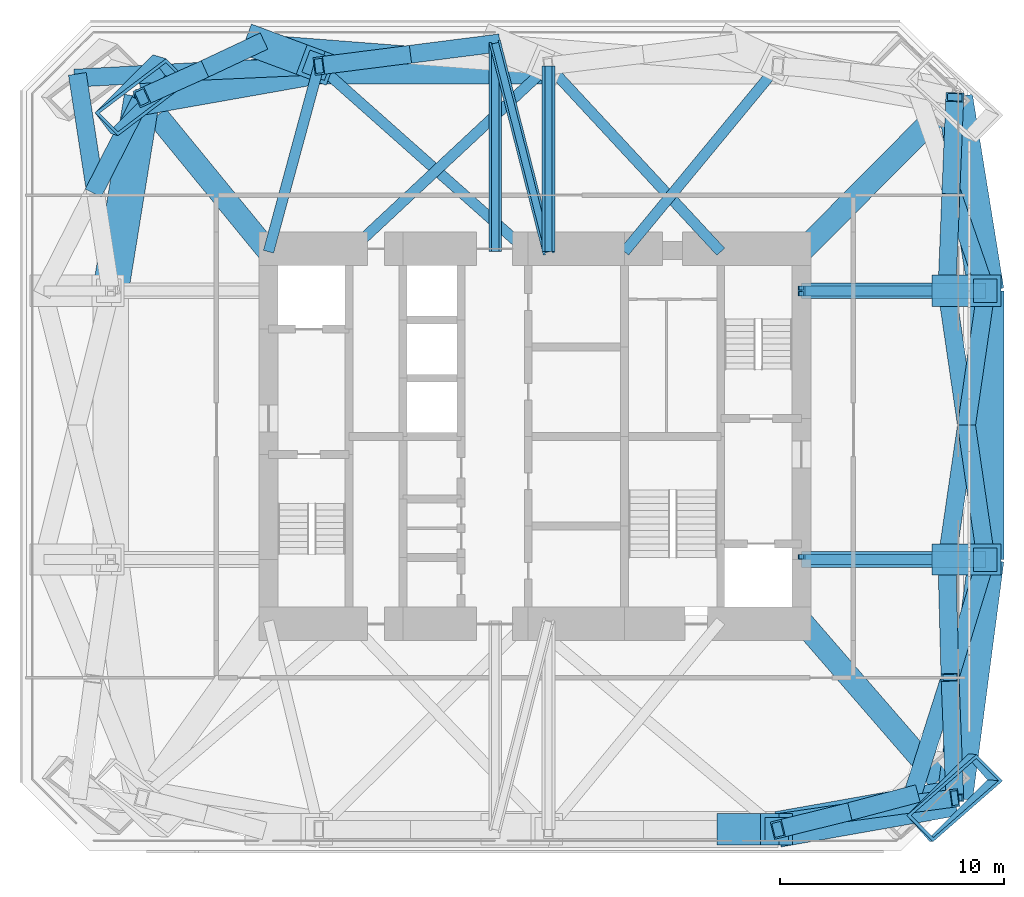
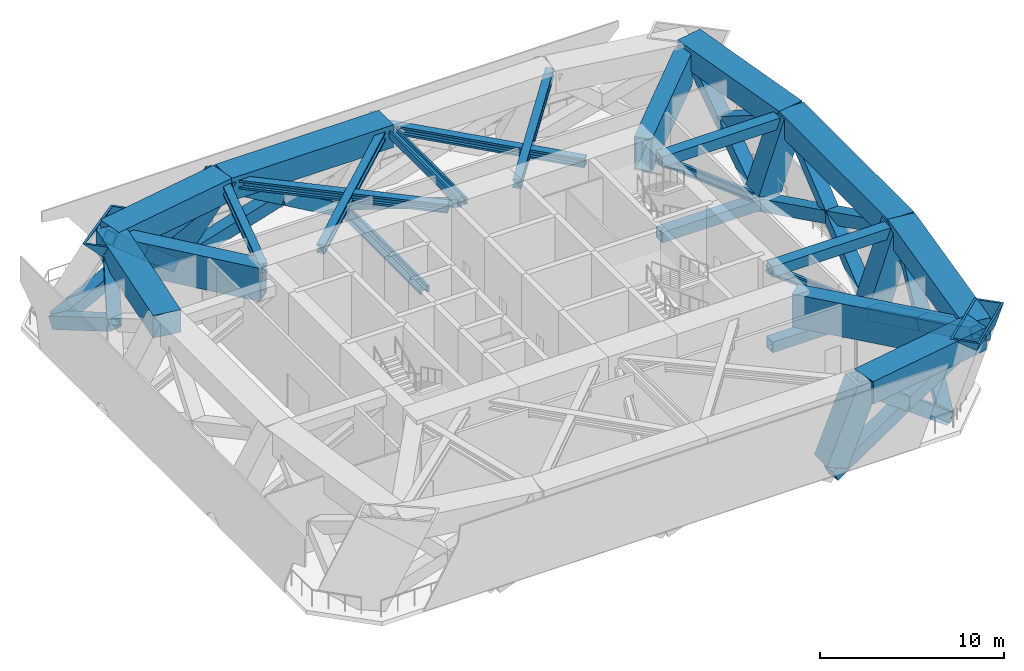
# One storey, part 2 of 8: 44 members, 10 beams.
"""IFC4 building model written with IfcOpenShell, lengths in metres."""

import ifcopenshell
import ifcopenshell.guid

model = None  # the IFC model being written
_history = None  # IfcOwnerHistory: only IFC2X3 demands one
_inside = {}  # id of a spatial element -> (the spatial element, [elements in it])
_under = {}  # id of a project, library or spatial element -> (it, [spatial elements below it])
_declared = {}  # id of a project -> (the project, [libraries it declares])
_typed = {}  # id of a type object -> (the type object, [elements of that type])
_made_of = {}  # id of a material, layer set ... -> (it, [elements and type objects made of it])


def new_model(schema):
    """Start an empty IFC model of exactly this schema.

    Asked for "IFC4X3", IfcOpenShell would pick the latest addendum, in which some entities
    have other attributes; the version numbers below select the first issue.
    IFC2X3 requires an IfcOwnerHistory on every rooted entity: one is made here for all.
    """
    global model, _history
    if schema == "IFC4X3":
        model = ifcopenshell.file(schema_version=(4, 3, 0, 0))
    else:
        model = ifcopenshell.file(schema=schema)
    _inside.clear()
    _under.clear()
    _declared.clear()
    _typed.clear()
    _made_of.clear()
    _history = None
    if model.schema == "IFC2X3":
        org = make("IfcOrganization", Name="unknown")
        user = make(
            "IfcPersonAndOrganization",
            ThePerson=make("IfcPerson", FamilyName="unknown"),
            TheOrganization=org,
        )
        app = make(
            "IfcApplication",
            ApplicationDeveloper=org,
            Version="unknown",
            ApplicationFullName="unknown",
            ApplicationIdentifier="unknown",
        )
        _history = make(
            "IfcOwnerHistory",
            OwningUser=user,
            OwningApplication=app,
            ChangeAction="ADDED",
            CreationDate=0,
        )
    return model


def make(cls, **values):
    """One entity of the class cls with the attributes given. An attribute that is None is left unset."""
    return model.create_entity(
        cls, **{name: value for name, value in values.items() if value is not None}
    )


def rooted(cls, **values):
    """An entity with a GlobalId (a new one), such as an element, a storey or a relation."""
    return make(cls, GlobalId=ifcopenshell.guid.new(), OwnerHistory=_history, **values)


def si_unit(unit_type, name, prefix=None):
    """IfcSIUnit, for example si_unit("LENGTHUNIT", "METRE", prefix="MILLI")."""
    return make("IfcSIUnit", UnitType=unit_type, Prefix=prefix, Name=name)


def assignment(units):
    """IfcUnitAssignment: the units of a project."""
    return None if units is None else make("IfcUnitAssignment", Units=units)


def point(xyz):
    """IfcCartesianPoint."""
    return None if xyz is None else make("IfcCartesianPoint", Coordinates=xyz)


def direction(xyz):
    """IfcDirection."""
    return None if xyz is None else make("IfcDirection", DirectionRatios=xyz)


def frame(location, z_axis=None, x_axis=None):
    """IfcAxis2Placement3D, a coordinate frame: its origin and axes. An axis left out is left unset."""
    return make(
        "IfcAxis2Placement3D",
        Location=point(location),
        Axis=direction(z_axis),
        RefDirection=direction(x_axis),
    )


def frame_2d(location, x_axis=None):
    """IfcAxis2Placement2D, a coordinate frame in the plane: its origin and x axis."""
    return make(
        "IfcAxis2Placement2D", Location=point(location), RefDirection=direction(x_axis)
    )


def origin():
    """The frame at (0, 0, 0) with its axes left unset."""
    return frame((0.0, 0.0, 0.0))


def origin_2d():
    """The frame at (0, 0) in the plane with its x axis left unset."""
    return frame_2d((0.0, 0.0))


def place(relative_to, where):
    """IfcLocalPlacement: puts the frame where relative to a parent placement (None: the world)."""
    return make(
        "IfcLocalPlacement", PlacementRelTo=relative_to, RelativePlacement=where
    )


def context(
    kind, dimensions, precision=None, world=None, true_north=None, identifier=None
):
    """IfcGeometricRepresentationContext, for example the 3D "Model" context."""
    return make(
        "IfcGeometricRepresentationContext",
        ContextIdentifier=identifier,
        ContextType=kind,
        CoordinateSpaceDimension=dimensions,
        Precision=precision,
        WorldCoordinateSystem=world,
        TrueNorth=true_north,
    )


def subcontext(parent, identifier, kind, view, scale=None):
    """IfcGeometricRepresentationSubContext, for example "Body" below "Model"."""
    return make(
        "IfcGeometricRepresentationSubContext",
        ContextIdentifier=identifier,
        ContextType=kind,
        ParentContext=parent,
        TargetScale=scale,
        TargetView=view,
    )


def project(units=None, contexts=None):
    """IfcProject with its units and contexts."""
    return rooted(
        "IfcProject",
        Name="project",
        RepresentationContexts=contexts,
        UnitsInContext=assignment(units),
    )


def spatial(cls, under=None, at=None, **own):
    """A site, building, storey or space (cls), placed at a placement, below another one or the project."""
    s = rooted(cls, ObjectPlacement=at, **own)
    if under is not None:
        _under.setdefault(under.id(), (under, []))[1].append(s)
    return s


def profile(cls, at=None, kind="AREA", **sizes):
    """A parametric profile (cls). Its sizes go by their IFC names, for example OverallWidth=200.0."""
    return make(cls, ProfileType=kind, Position=at, **sizes)


def rectangle(**sizes):
    """IfcRectangleProfileDef."""
    return profile("IfcRectangleProfileDef", **sizes)


def hollow_rectangle(**sizes):
    """IfcRectangleHollowProfileDef."""
    return profile("IfcRectangleHollowProfileDef", **sizes)


def i_section(**sizes):
    """IfcIShapeProfileDef."""
    return profile("IfcIShapeProfileDef", **sizes)


def extrude(swept, where, along, depth):
    """IfcExtrudedAreaSolid: the profile swept, set in the frame where, extruded along a direction by depth."""
    return make(
        "IfcExtrudedAreaSolid",
        SweptArea=swept,
        Position=where,
        ExtrudedDirection=direction(along),
        Depth=depth,
    )


def clip(a, b, op="DIFFERENCE"):
    """IfcBooleanClippingResult: the solid a cut by the half space b."""
    return make(
        "IfcBooleanClippingResult", Operator=op, FirstOperand=a, SecondOperand=b
    )


def halfspace(plane, agree):
    """IfcHalfSpaceSolid: all space on one side of the plane z = 0 of the frame plane."""
    return make(
        "IfcHalfSpaceSolid",
        BaseSurface=make("IfcPlane", Position=plane),
        AgreementFlag=agree,
    )


def shape(context_of_items, identifier, shape_type, items):
    """IfcShapeRepresentation: the items that make up one representation, for example the "Body"."""
    return make(
        "IfcShapeRepresentation",
        ContextOfItems=context_of_items,
        RepresentationIdentifier=identifier,
        RepresentationType=shape_type,
        Items=items,
    )


def material(Name=None, Category=None):
    """IfcMaterial."""
    return make("IfcMaterial", Name=Name, Category=Category)


def material_profile(
    of_material, cross_section, Name=None, Category=None, Priority=None
):
    """IfcMaterialProfile: a cross section and its material."""
    return make(
        "IfcMaterialProfile",
        Name=Name,
        Material=of_material,
        Profile=cross_section,
        Priority=Priority,
        Category=Category,
    )


def profile_set(profiles, Name=None, composite=None):
    """IfcMaterialProfileSet."""
    return make(
        "IfcMaterialProfileSet",
        Name=Name,
        MaterialProfiles=profiles,
        CompositeProfile=composite,
    )


def made_of(thing, what):
    """Note that an element or type object is made of a material, layer set ...; save() writes the relation."""
    if what is not None:
        _made_of.setdefault(what.id(), (what, []))[1].append(thing)
    return thing


def type_object(cls, material=None, **own):
    """A type object (cls), such as IfcWallType, which elements share."""
    return made_of(rooted(cls, **own), material)


def element(
    cls,
    number,
    at=None,
    inside=None,
    cuts=None,
    type_object=None,
    material=None,
    context=None,
    identifier="Body",
    shape_type=None,
    held_by="IfcProductDefinitionShape",
    body=None,
    shapes=None,
    **own,
):
    """One element of the class cls, such as IfcWall. Its Tag is "e" and its number.

    at: its placement. inside: the storey or other place that contains it. cuts: it is an
    opening in that element (IfcRelVoidsElement). A single representation is given by context,
    identifier, shape_type and body (its items); several are given by shapes. held_by: the class
    of the entity that holds the representations. save() writes the other relations.
    """
    e = rooted(cls, Tag="e%d" % number, ObjectPlacement=at, **own)
    if body is not None:
        shapes = [shape(context, identifier, shape_type, body)]
    if shapes is not None:
        e.Representation = make(held_by, Representations=shapes)
    if inside is not None:
        _inside.setdefault(inside.id(), (inside, []))[1].append(e)
    if cuts is not None:
        rooted(
            "IfcRelVoidsElement", RelatingBuildingElement=cuts, RelatedOpeningElement=e
        )
    if type_object is not None:
        _typed.setdefault(type_object.id(), (type_object, []))[1].append(e)
    return made_of(e, material)


def aggregate(whole, parts):
    """IfcRelAggregates: a whole, such as a stair, and the parts it consists of."""
    return rooted("IfcRelAggregates", RelatingObject=whole, RelatedObjects=parts)


def save(model, path):
    """Write the relations noted so far, then the file.

    IfcRelAggregates (storeys below a building ...), IfcRelContainedInSpatialStructure (elements
    in a storey), IfcRelDefinesByType, IfcRelAssociatesMaterial and IfcRelDeclares: one each for
    every whole, place, type object, material and project.
    """
    for whole, parts in _under.values():
        aggregate(whole, parts)
    for where, things in _inside.values():
        rooted(
            "IfcRelContainedInSpatialStructure",
            RelatedElements=things,
            RelatingStructure=where,
        )
    for kind, things in _typed.values():
        rooted("IfcRelDefinesByType", RelatedObjects=things, RelatingType=kind)
    for what, things in _made_of.values():
        rooted("IfcRelAssociatesMaterial", RelatedObjects=things, RelatingMaterial=what)
    for by, libraries in _declared.values():
        rooted("IfcRelDeclares", RelatingContext=by, RelatedDefinitions=libraries)
    model.write(path)


model = new_model("IFC4")

# Units and contexts
model_context = context("Model", 3, precision=1e-05, world=origin(), true_north=direction((0.0, 1.0)))
body_context = subcontext(model_context, "Body", "Model", "MODEL_VIEW")
ifc_project = project(units=[si_unit("LENGTHUNIT", "METRE"), si_unit("AREAUNIT", "SQUARE_METRE"), si_unit("VOLUMEUNIT", "CUBIC_METRE"), si_unit("PLANEANGLEUNIT", "RADIAN"), si_unit("MASSUNIT", "GRAM", prefix="KILO")], contexts=[model_context])

# Site, building, storey
site_placement = place(None, origin())
site = spatial("IfcSite", under=ifc_project, at=site_placement, CompositionType="ELEMENT")
building_placement = place(site_placement, origin())
building = spatial("IfcBuilding", under=site, at=building_placement, Name="Jalousie Tower", CompositionType="ELEMENT")
storey_placement = place(building_placement, frame((0.0, 0.0, 149.35009765625)))
storey = spatial("IfcBuildingStorey", under=building, at=storey_placement, Name="L40", CompositionType="ELEMENT", Elevation=149.35009765625)

# Beams
ifc_material_1 = material(Name="Steel ASTM A572 Grade 50 plate", Category="steel")
ifc_material_profile_1 = material_profile(ifc_material_1, hollow_rectangle(XDim=1.0, YDim=2.199951171875, WallThickness=0.10009765625, at=origin_2d()), Name="BOX 2200x1000x100")
ifc_profile_set_1 = profile_set([ifc_material_profile_1], Name="Steel ASTM A572 Grade 50 plate")
beam_type_1 = type_object("IfcBeamType", Name="KINK COLLECTOR BOX 2200x1000x100", PredefinedType="BEAM", material=ifc_profile_set_1)
beam_1_placement = place(storey_placement, frame((49.95068359375, 3.156494140625, 3.619873046875), z_axis=(-0.655108717474, 0.75553462415, 0.0), x_axis=(-0.75553462415, -0.655108717474, 0.0)))
element("IfcBeam", 1, at=beam_1_placement, inside=storey, type_object=beam_type_1, Name="Kink collector 05 L41", PredefinedType="BEAM", context=body_context, shape_type="SweptSolid", body=[
    extrude(hollow_rectangle(XDim=1.0, YDim=2.199951171875, WallThickness=0.10009765625, at=origin_2d()), origin(), (0.0, 0.0, 1.0), 9.388671875),
])
beam_2_placement = place(storey_placement, frame((49.954833984375, 32.94970703125, 3.619873046875), z_axis=(-0.704531029744, -0.709673184027, 0.0), x_axis=(0.709673184027, -0.704531029744, 0.0)))
element("IfcBeam", 2, at=beam_2_placement, inside=storey, type_object=beam_type_1, Name="Kink collector 08 L41", PredefinedType="BEAM", context=body_context, shape_type="SweptSolid", body=[
    extrude(hollow_rectangle(XDim=1.0, YDim=2.199951171875, WallThickness=0.10009765625, at=origin_2d()), origin(), (0.0, 0.0, 1.0), 8.736083984375),
])
beam_3_placement = place(storey_placement, frame((15.025146484375, 32.8251953125, 3.619873046875), z_axis=(0.633561122277, -0.773692642035, 0.0), x_axis=(0.773692642035, 0.633561122277, 0.0)))
element("IfcBeam", 3, at=beam_3_placement, inside=storey, type_object=beam_type_1, Name="Kink collector 12 L41", PredefinedType="BEAM", context=body_context, shape_type="SweptSolid", body=[
    extrude(hollow_rectangle(XDim=1.0, YDim=2.199951171875, WallThickness=0.10009765625, at=origin_2d()), origin(), (0.0, 0.0, 1.0), 7.852294921875),
])

# Members
ifc_material_2 = material(Name="Steel ASTM A992 Grade 50", Category="steel")
ifc_material_profile_2 = material_profile(ifc_material_2, i_section(OverallWidth=0.472412109375, OverallDepth=0.5791015625, WebThickness=0.094970703125, FlangeThickness=0.1298828125, at=origin_2d()), Name="W14X808")
ifc_profile_set_2 = profile_set([ifc_material_profile_2], Name="Steel ASTM A992 Grade 50")
member_type_1 = type_object("IfcMemberType", Name="KINK FLOOR TRUSS DIAGONAL W14X808", PredefinedType="BRACE", material=ifc_profile_set_2)
member_1_placement = place(storey_placement, frame((42.75, 35.050048828125, 4.430419921875), z_axis=(-0.636524341534, -0.7712566127, 0.0), x_axis=(0.7712566127, -0.636524341534, 0.0)))
element("IfcMember", 4, at=member_1_placement, inside=storey, type_object=member_type_1, Name="Kink floor truss L41 09 diagonal", PredefinedType="BRACE", context=body_context, shape_type="SweptSolid", body=[
    extrude(i_section(OverallWidth=0.472412109375, OverallDepth=0.5791015625, WebThickness=0.094970703125, FlangeThickness=0.1298828125, at=origin_2d()), origin(), (0.0, 0.0, 1.0), 10.76171875),
])
member_2_placement = place(storey_placement, frame((32.5, 35.050048828125, 4.430419921875), z_axis=(-0.731322730784, -0.682031570705, 0.0), x_axis=(0.682031570705, -0.731322730784, 0.0)))
element("IfcMember", 5, at=member_2_placement, inside=storey, type_object=member_type_1, Name="Kink floor truss L41 10 diagonal", PredefinedType="BRACE", context=body_context, shape_type="SweptSolid", body=[
    extrude(i_section(OverallWidth=0.472412109375, OverallDepth=0.5791015625, WebThickness=0.094970703125, FlangeThickness=0.1298828125, at=origin_2d()), origin(), (0.0, 0.0, 1.0), 12.169677734375),
])
member_3_placement = place(storey_placement, frame((32.5, 35.050048828125, 4.430419921875), z_axis=(0.680107772709, -0.733112145242, 0.0), x_axis=(0.733112145242, 0.680107772709, 0.0)))
element("IfcMember", 6, at=member_3_placement, inside=storey, type_object=member_type_1, Name="Kink floor truss L41 10 diagonal", PredefinedType="BRACE", context=body_context, shape_type="SweptSolid", body=[
    extrude(i_section(OverallWidth=0.472412109375, OverallDepth=0.5791015625, WebThickness=0.094970703125, FlangeThickness=0.1298828125, at=origin_2d()), origin(), (0.0, 0.0, 1.0), 11.32177734375),
])
member_4_placement = place(storey_placement, frame((22.25, 35.050048828125, 4.430419921875), z_axis=(-0.261639739492, -0.965165605851, 0.0), x_axis=(0.965165605851, -0.261639739492, 0.0)))
element("IfcMember", 7, at=member_4_placement, inside=storey, type_object=member_type_1, Name="Kink floor truss L41 11 diagonal", PredefinedType="BRACE", context=body_context, shape_type="SweptSolid", body=[
    extrude(i_section(OverallWidth=0.472412109375, OverallDepth=0.5791015625, WebThickness=0.094970703125, FlangeThickness=0.1298828125, at=origin_2d()), origin(), (0.0, 0.0, 1.0), 8.599609375),
])
member_5_placement = place(storey_placement, frame((22.25, 35.050048828125, 4.430419921875), z_axis=(0.747851948323, -0.663865546168, 0.0), x_axis=(0.663865546168, 0.747851948323, 0.0)))
element("IfcMember", 8, at=member_5_placement, inside=storey, type_object=member_type_1, Name="Kink floor truss L41 11 diagonal", PredefinedType="BRACE", context=body_context, shape_type="SweptSolid", body=[
    extrude(i_section(OverallWidth=0.472412109375, OverallDepth=0.5791015625, WebThickness=0.094970703125, FlangeThickness=0.1298828125, at=origin_2d()), origin(), (0.0, 0.0, 1.0), 12.502685546875),
])
ifc_material_3 = material(Name="Steel EN 10025-2 S355J2 plate", Category="steel")
ifc_material_profile_3 = material_profile(ifc_material_3, hollow_rectangle(XDim=1.300048828125, YDim=3.800048828125, WallThickness=0.125, at=origin_2d()), Name="BOX 3800x1300x125")
ifc_profile_set_3 = profile_set([ifc_material_profile_3], Name="Steel EN 10025-2 S355J2 plate")
member_type_2 = type_object("IfcMemberType", Name="KINK NODE BOX 3800x1300x125", PredefinedType="MEMBER", material=ifc_profile_set_3)
member_6_placement = place(storey_placement, frame((13.891357421875, 33.788818359375, 4.200439453125), z_axis=(0.490981098498, -0.147490984195, 0.858594182661), x_axis=(0.544030872148, -0.717853987466, -0.434414620873)))
element("IfcMember", 9, at=member_6_placement, inside=storey, type_object=member_type_2, Name="Kink node of corner column 12 at +154.350", PredefinedType="MEMBER", context=body_context, shape_type="Clipping", body=[
    clip(extrude(hollow_rectangle(XDim=1.300048828125, YDim=3.800048828125, WallThickness=0.125, at=origin_2d()), origin(), (0.0, 0.0, 1.0), 1.8623046875), halfspace(frame((0.0, 0.0, 0.93115234375), z_axis=(-0.434414620873, -0.272213090562, 0.858594182661)), False)),
])
ifc_material_4 = material(Name="Steel EN 10025-2 S355J2 plate", Category="steel")
ifc_material_profile_4 = material_profile(ifc_material_4, hollow_rectangle(XDim=1.60009765625, YDim=4.0, WallThickness=0.125, at=origin_2d()), Name="BOX 4000x1600x125")
ifc_profile_set_4 = profile_set([ifc_material_profile_4], Name="Steel EN 10025-2 S355J2 plate")
member_type_3 = type_object("IfcMemberType", Name="KINK NODE BOX 4000x1600x125", PredefinedType="MEMBER", material=ifc_profile_set_4)
member_7_placement = place(storey_placement, frame((50.390869140625, 2.367919921875, 4.310791015625), z_axis=(0.353577525111, -0.026332003041, 0.93503452308), x_axis=(-0.635669770069, 0.726559510138, 0.260835621893)))
element("IfcMember", 10, at=member_7_placement, inside=storey, type_object=member_type_3, Name="Kink node of corner column 05 at +154.350", PredefinedType="MEMBER", context=body_context, shape_type="Clipping", body=[
    clip(extrude(hollow_rectangle(XDim=1.60009765625, YDim=4.0, WallThickness=0.125, at=origin_2d()), origin(), (0.0, 0.0, 1.0), 1.47412109375), halfspace(frame((0.0, 0.0, 0.737060546875), z_axis=(0.260835621893, 0.240156655122, 0.93503452308)), False)),
])
ifc_material_5 = material(Name="Steel ASTM A992 Grade 50", Category="steel")
ifc_material_profile_5 = material_profile(ifc_material_5, i_section(OverallWidth=0.45458984375, OverallDepth=0.569091796875, WebThickness=0.077880859375, FlangeThickness=0.124755859375, at=origin_2d()), Name="W14X730")
ifc_profile_set_5 = profile_set([ifc_material_profile_5], Name="Steel ASTM A992 Grade 50")
member_type_4 = type_object("IfcMemberType", Name="NORTH-SOUTH OUTRIGGER CHORD W14X730", PredefinedType="CHORD", material=ifc_profile_set_5)
member_8_placement = place(storey_placement, frame((30.125, 36.050048828125, -0.564697265625), z_axis=(0.0, -1.0, 0.0), x_axis=(0.0, 0.0, 1.0)))
element("IfcMember", 11, at=member_8_placement, inside=storey, type_object=member_type_4, Name="Outrigger T2 N10 chord L40", PredefinedType="CHORD", context=body_context, shape_type="SweptSolid", body=[
    extrude(i_section(OverallWidth=0.45458984375, OverallDepth=0.569091796875, WebThickness=0.077880859375, FlangeThickness=0.124755859375, at=origin_2d()), origin(), (0.0, 0.0, 1.0), 9.300048828125),
])
member_9_placement = place(storey_placement, frame((32.5, 35.050048828125, 4.435302734375), z_axis=(0.0, -1.0, 0.0), x_axis=(0.0, 0.0, 1.0)))
element("IfcMember", 12, at=member_9_placement, inside=storey, type_object=member_type_4, Name="Outrigger T2 N10 chord L41", PredefinedType="CHORD", context=body_context, shape_type="SweptSolid", body=[
    extrude(i_section(OverallWidth=0.45458984375, OverallDepth=0.569091796875, WebThickness=0.077880859375, FlangeThickness=0.124755859375, at=origin_2d()), origin(), (0.0, 0.0, 1.0), 8.300048828125),
])
ifc_material_6 = material(Name="Steel ASTM A992 Grade 50", Category="steel")
ifc_material_profile_6 = material_profile(ifc_material_6, i_section(OverallWidth=0.43701171875, OverallDepth=0.51318359375, WebThickness=0.060546875, FlangeThickness=0.096923828125, at=origin_2d()), Name="W14X550")
ifc_profile_set_6 = profile_set([ifc_material_profile_6], Name="Steel ASTM A992 Grade 50")
member_type_5 = type_object("IfcMemberType", Name="NORTH-SOUTH OUTRIGGER DIAGONAL W14X550", PredefinedType="BRACE", material=ifc_profile_set_6)
member_10_placement = place(storey_placement, frame((30.125, 36.050048828125, -0.564697265625), z_axis=(0.219445510307, -0.859306930934, 0.461990548015), x_axis=(-0.114312192613, 0.447624830718, 0.886884847962)))
element("IfcMember", 13, at=member_10_placement, inside=storey, type_object=member_type_5, Name="Outrigger T2 N10 diagonal L40", PredefinedType="BRACE", context=body_context, shape_type="SweptSolid", body=[
    extrude(i_section(OverallWidth=0.43701171875, OverallDepth=0.51318359375, WebThickness=0.060546875, FlangeThickness=0.096923828125, at=origin_2d()), origin(), (0.0, 0.0, 1.0), 10.82275390625),
])
ifc_material_7 = material(Name="Steel ASTM A572 Grade 50 plate", Category="steel")
ifc_material_profile_7 = material_profile(ifc_material_7, hollow_rectangle(XDim=0.699951171875, YDim=0.699951171875, WallThickness=0.070068359375, at=origin_2d()), Name="BOX 700x700x70")
ifc_profile_set_7 = profile_set([ifc_material_profile_7], Name="Steel ASTM A572 Grade 50 plate")
member_type_6 = type_object("IfcMemberType", Name="OUTRIGGER CHORD BOX 700x700x70", PredefinedType="CHORD", material=ifc_profile_set_7)
member_11_placement = place(storey_placement, frame((50.300048828125, 13.0, -0.630126953125), z_axis=(-1.0, 0.0, 0.0), x_axis=(0.0, -1.0, 0.0)))
element("IfcMember", 14, at=member_11_placement, inside=storey, type_object=member_type_6, Name="Outrigger T2 east arm at column 06 chord L40", PredefinedType="CHORD", context=body_context, shape_type="SweptSolid", body=[
    extrude(hollow_rectangle(XDim=0.699951171875, YDim=0.699951171875, WallThickness=0.070068359375, at=origin_2d()), origin(), (0.0, 0.0, 1.0), 6.5),
])
member_12_placement = place(storey_placement, frame((52.050048828125, 13.0, 4.369873046875), z_axis=(-1.0, 0.0, 0.0), x_axis=(0.0, -1.0, 0.0)))
element("IfcMember", 15, at=member_12_placement, inside=storey, type_object=member_type_6, Name="Outrigger T2 east arm at column 06 chord L41", PredefinedType="CHORD", context=body_context, shape_type="SweptSolid", body=[
    extrude(hollow_rectangle(XDim=0.699951171875, YDim=0.699951171875, WallThickness=0.070068359375, at=origin_2d()), origin(), (0.0, 0.0, 1.0), 8.25),
])
member_13_placement = place(storey_placement, frame((50.300048828125, 25.0, -0.630126953125), z_axis=(-1.0, 0.0, 0.0), x_axis=(0.0, -1.0, 0.0)))
element("IfcMember", 16, at=member_13_placement, inside=storey, type_object=member_type_6, Name="Outrigger T2 east arm at column 07 chord L40", PredefinedType="CHORD", context=body_context, shape_type="SweptSolid", body=[
    extrude(hollow_rectangle(XDim=0.699951171875, YDim=0.699951171875, WallThickness=0.070068359375, at=origin_2d()), origin(), (0.0, 0.0, 1.0), 6.5),
])
member_14_placement = place(storey_placement, frame((52.050048828125, 25.0, 4.369873046875), z_axis=(-1.0, 0.0, 0.0), x_axis=(0.0, -1.0, 0.0)))
element("IfcMember", 17, at=member_14_placement, inside=storey, type_object=member_type_6, Name="Outrigger T2 east arm at column 07 chord L41", PredefinedType="CHORD", context=body_context, shape_type="SweptSolid", body=[
    extrude(hollow_rectangle(XDim=0.699951171875, YDim=0.699951171875, WallThickness=0.070068359375, at=origin_2d()), origin(), (0.0, 0.0, 1.0), 8.25),
])
ifc_material_8 = material(Name="Steel ASTM A992 Grade 50", Category="steel")
ifc_material_profile_8 = material_profile(ifc_material_8, i_section(OverallWidth=0.43701171875, OverallDepth=0.51318359375, WebThickness=0.060546875, FlangeThickness=0.096923828125, at=origin_2d()), Name="W14X550")
ifc_profile_set_8 = profile_set([ifc_material_profile_8], Name="Steel ASTM A992 Grade 50")
member_type_7 = type_object("IfcMemberType", Name="OUTRIGGER DIAGONAL W14X550", PredefinedType="BRACE", material=ifc_profile_set_8)
for number, where, z_axis, x_axis, name in (
    (18, (50.300048828125, 13.0, -0.630126953125), (-0.792623989105, 0.0, 0.60971076085), (0.0, -1.0, 0.0), "Outrigger T2 east arm at column 06 diagonal L40"),
    (19, (50.300048828125, 25.0, -0.630126953125), (-0.792623989105, 0.0, 0.60971076085), (0.0, -1.0, 0.0), "Outrigger T2 east arm at column 07 diagonal L40"),
):
    element("IfcMember", number, at=place(storey_placement, frame(where, z_axis=z_axis, x_axis=x_axis)), inside=storey, type_object=member_type_7, Name=name, PredefinedType="BRACE", context=body_context, shape_type="SweptSolid", body=[
        extrude(i_section(OverallWidth=0.43701171875, OverallDepth=0.51318359375, WebThickness=0.060546875, FlangeThickness=0.096923828125, at=origin_2d()), origin(), (0.0, 0.0, 1.0), 8.20068359375),
    ])
ifc_material_9 = material(Name="Steel ASTM A572 Grade 50 plate", Category="steel")
ifc_material_profile_9 = material_profile(ifc_material_9, hollow_rectangle(XDim=0.800048828125, YDim=0.800048828125, WallThickness=0.080078125, at=origin_2d()), Name="BOX 800x800x80")
ifc_profile_set_9 = profile_set([ifc_material_profile_9], Name="Steel ASTM A572 Grade 50 plate")
member_type_8 = type_object("IfcMemberType", Name="PERIMETER BRACE BOX 800x800x80", PredefinedType="BRACE", material=ifc_profile_set_9)
member_15_placement = place(storey_placement, frame((40.6875, 0.949951171875, -0.75), z_axis=(0.88597286994, 0.129139914347, 0.445393035703), x_axis=(-0.144236393831, 0.989543259638, 0.0)))
element("IfcMember", 20, at=member_15_placement, inside=storey, type_object=member_type_8, Name="Perimeter brace 04-05 L40 part 1", PredefinedType="BRACE", context=body_context, shape_type="SweptSolid", body=[
    extrude(hollow_rectangle(XDim=0.800048828125, YDim=0.800048828125, WallThickness=0.080078125, at=origin_2d()), origin(), (0.0, 0.0, 1.0), 5.680908203125),
])
member_16_placement = place(storey_placement, frame((45.720703125, 1.68359375, 1.7802734375), z_axis=(0.887690613538, 0.119680226799, 0.444614459897), x_axis=(-0.133613130832, 0.991033567176, 0.0)))
element("IfcMember", 21, at=member_16_placement, inside=storey, type_object=member_type_8, Name="Perimeter brace 04-05 L40 part 2", PredefinedType="BRACE", context=body_context, shape_type="SweptSolid", body=[
    extrude(hollow_rectangle(XDim=0.800048828125, YDim=0.800048828125, WallThickness=0.080078125, at=origin_2d()), origin(), (0.0, 0.0, 1.0), 5.5546875),
])
member_17_placement = place(storey_placement, frame((48.760009765625, 2.489990234375, -0.75), z_axis=(-0.753034243519, -0.199796940023, 0.626913559309), x_axis=(0.256449502216, -0.966557630363, 0.0)))
element("IfcMember", 22, at=member_17_placement, inside=storey, type_object=member_type_8, Name="Perimeter brace 04-05 L40 part 3", PredefinedType="BRACE", context=body_context, shape_type="SweptSolid", body=[
    extrude(hollow_rectangle(XDim=0.800048828125, YDim=0.800048828125, WallThickness=0.080078125, at=origin_2d()), origin(), (0.0, 0.0, 1.0), 4.0361328125),
])
member_18_placement = place(storey_placement, frame((45.720703125, 1.68359375, 1.7802734375), z_axis=(-0.755465041097, -0.186569070389, 0.6280641318), x_axis=(0.239756208625, -0.970833126972, 0.0)))
element("IfcMember", 23, at=member_18_placement, inside=storey, type_object=member_type_8, Name="Perimeter brace 04-05 L40 part 4", PredefinedType="BRACE", context=body_context, shape_type="SweptSolid", body=[
    extrude(hollow_rectangle(XDim=0.800048828125, YDim=0.800048828125, WallThickness=0.080078125, at=origin_2d()), origin(), (0.0, 0.0, 1.0), 3.932373046875),
])
member_19_placement = place(storey_placement, frame((48.760009765625, 2.489990234375, -0.75), z_axis=(0.277802703052, 0.868148595504, 0.411270804096), x_axis=(-0.9524256909, 0.304770902997, 0.0)))
element("IfcMember", 24, at=member_19_placement, inside=storey, type_object=member_type_8, Name="Perimeter brace 05-06 L40 part 1", PredefinedType="BRACE", context=body_context, shape_type="SweptSolid", body=[
    extrude(hollow_rectangle(XDim=0.800048828125, YDim=0.800048828125, WallThickness=0.080078125, at=origin_2d()), origin(), (0.0, 0.0, 1.0), 6.043701171875),
])
member_20_placement = place(storey_placement, frame((50.43896484375, 7.73681640625, 1.735595703125), z_axis=(0.266235155482, 0.869752611287, 0.415510814716), x_axis=(-0.956204769228, 0.29269854681, 0.0)))
element("IfcMember", 25, at=member_20_placement, inside=storey, type_object=member_type_8, Name="Perimeter brace 05-06 L40 part 2", PredefinedType="BRACE", context=body_context, shape_type="SweptSolid", body=[
    extrude(hollow_rectangle(XDim=0.800048828125, YDim=0.800048828125, WallThickness=0.080078125, at=origin_2d()), origin(), (0.0, 0.0, 1.0), 6.05126953125),
])
member_21_placement = place(storey_placement, frame((50.300048828125, 13.0, -0.75), z_axis=(0.023859510642, -0.903977733585, 0.426913317823), x_axis=(0.999651862533, 0.026384725382, 0.0)))
element("IfcMember", 26, at=member_21_placement, inside=storey, type_object=member_type_8, Name="Perimeter brace 05-06 L40 part 3", PredefinedType="BRACE", context=body_context, shape_type="SweptSolid", body=[
    extrude(hollow_rectangle(XDim=0.800048828125, YDim=0.800048828125, WallThickness=0.080078125, at=origin_2d()), origin(), (0.0, 0.0, 1.0), 5.822265625),
])
member_22_placement = place(storey_placement, frame((50.43896484375, 7.73681640625, 1.735595703125), z_axis=(0.035738853985, -0.905616815515, 0.42258835499), x_axis=(0.999222222481, 0.039432855592, 0.0)))
element("IfcMember", 27, at=member_22_placement, inside=storey, type_object=member_type_8, Name="Perimeter brace 05-06 L40 part 4", PredefinedType="BRACE", context=body_context, shape_type="SweptSolid", body=[
    extrude(hollow_rectangle(XDim=0.800048828125, YDim=0.800048828125, WallThickness=0.080078125, at=origin_2d()), origin(), (0.0, 0.0, 1.0), 5.949951171875),
])
for number, where, z_axis, x_axis, name in (
    (28, (50.300048828125, 13.0, -0.75), (0.133412012142, 0.914825226113, 0.381177177547), (-0.989532981063, 0.144306893072, 0.0), "Perimeter brace 06-07 L40 part 1"),
    (29, (51.175048828125, 19.0, 1.75), (0.133412012142, 0.914825226113, 0.381177177547), (-0.989532981063, 0.144306893072, 0.0), "Perimeter brace 06-07 L40 part 2"),
    (30, (50.300048828125, 25.0, -0.75), (0.133412012142, -0.914825226113, 0.381177177547), (0.989532981063, 0.144306893072, 0.0), "Perimeter brace 06-07 L40 part 3"),
    (31, (51.175048828125, 19.0, 1.75), (0.133412012142, -0.914825226113, 0.381177177547), (0.989532981063, 0.144306893072, 0.0), "Perimeter brace 06-07 L40 part 4"),
):
    element("IfcMember", number, at=place(storey_placement, frame(where, z_axis=z_axis, x_axis=x_axis)), inside=storey, type_object=member_type_8, Name=name, PredefinedType="BRACE", context=body_context, shape_type="SweptSolid", body=[
        extrude(hollow_rectangle(XDim=0.800048828125, YDim=0.800048828125, WallThickness=0.080078125, at=origin_2d()), origin(), (0.0, 0.0, 1.0), 6.55859375),
    ])
member_23_placement = place(storey_placement, frame((50.300048828125, 25.0, -0.75), z_axis=(0.035022442971, 0.865254869361, 0.500107427995), x_axis=(-0.999181833804, 0.040443330667, 0.0)))
element("IfcMember", 32, at=member_23_placement, inside=storey, type_object=member_type_8, Name="Perimeter brace 07-08 L40 part 1", PredefinedType="BRACE", context=body_context, shape_type="SweptSolid", body=[
    extrude(hollow_rectangle(XDim=0.800048828125, YDim=0.800048828125, WallThickness=0.080078125, at=origin_2d()), origin(), (0.0, 0.0, 1.0), 5.235107421875),
])
member_24_placement = place(storey_placement, frame((50.4833984375, 29.52978515625, 1.8681640625), z_axis=(0.035312910871, 0.86529444736, 0.500018517351), x_axis=(-0.999168299161, 0.040776340587, 0.0)))
element("IfcMember", 33, at=member_24_placement, inside=storey, type_object=member_type_8, Name="Perimeter brace 07-08 L40 part 2", PredefinedType="BRACE", context=body_context, shape_type="SweptSolid", body=[
    extrude(hollow_rectangle(XDim=0.800048828125, YDim=0.800048828125, WallThickness=0.080078125, at=origin_2d()), origin(), (0.0, 0.0, 1.0), 4.763427734375),
])
member_25_placement = place(storey_placement, frame((50.4833984375, 29.52978515625, 1.8681640625), z_axis=(0.292709209887, -0.846334218519, 0.445016526672), x_axis=(0.945073243987, 0.326858629226, 0.0)))
element("IfcMember", 34, at=member_25_placement, inside=storey, type_object=member_type_8, Name="Perimeter brace 07-08 L40 part 4", PredefinedType="BRACE", context=body_context, shape_type="SweptSolid", body=[
    extrude(hollow_rectangle(XDim=0.800048828125, YDim=0.800048828125, WallThickness=0.080078125, at=origin_2d()), origin(), (0.0, 0.0, 1.0), 5.352294921875),
])
member_26_placement = place(storey_placement, frame((30.125, 36.050048828125, -0.75), z_axis=(-0.839416993695, -0.106606470977, 0.532929799357), x_axis=(0.125988630068, -0.992031685529, 0.0)))
element("IfcMember", 35, at=member_26_placement, inside=storey, type_object=member_type_8, Name="Perimeter brace 10-11 L40 part 1", PredefinedType="BRACE", context=body_context, shape_type="SweptSolid", body=[
    extrude(hollow_rectangle(XDim=0.800048828125, YDim=0.800048828125, WallThickness=0.080078125, at=origin_2d()), origin(), (0.0, 0.0, 1.0), 4.76123046875),
])
member_27_placement = place(storey_placement, frame((26.12841796875, 35.54248046875, 1.787353515625), z_axis=(-0.839389194883, -0.106574846159, 0.532979907389), x_axis=(0.125955953608, -0.992035834913, 0.0)))
element("IfcMember", 36, at=member_27_placement, inside=storey, type_object=member_type_8, Name="Perimeter brace 10-11 L40 part 2", PredefinedType="BRACE", context=body_context, shape_type="SweptSolid", body=[
    extrude(hollow_rectangle(XDim=0.800048828125, YDim=0.800048828125, WallThickness=0.080078125, at=origin_2d()), origin(), (0.0, 0.0, 1.0), 4.62060546875),
])
member_28_placement = place(storey_placement, frame((19.5625, 36.050048828125, -0.75), z_axis=(0.930357723477, -0.071919896896, 0.359530297468), x_axis=(0.077073541624, 0.997025410499, 0.0)))
element("IfcMember", 37, at=member_28_placement, inside=storey, type_object=member_type_8, Name="Perimeter brace 10-11 L40 part 3", PredefinedType="BRACE", context=body_context, shape_type="SweptSolid", body=[
    extrude(hollow_rectangle(XDim=0.800048828125, YDim=0.800048828125, WallThickness=0.080078125, at=origin_2d()), origin(), (0.0, 0.0, 1.0), 7.057373046875),
])
member_29_placement = place(storey_placement, frame((19.5625, 36.050048828125, -0.75), z_axis=(-0.683817037952, -0.321476745467, 0.655016763702), x_axis=(0.425450823348, -0.904981545067, 0.0)))
element("IfcMember", 38, at=member_29_placement, inside=storey, type_object=member_type_8, Name="Perimeter brace 11-12 L40 part 1", PredefinedType="BRACE", context=body_context, shape_type="SweptSolid", body=[
    extrude(hollow_rectangle(XDim=0.800048828125, YDim=0.800048828125, WallThickness=0.080078125, at=origin_2d()), origin(), (0.0, 0.0, 1.0), 3.865478515625),
])
member_30_placement = place(storey_placement, frame((16.919189453125, 34.807373046875, 1.781982421875), z_axis=(-0.686195863934, -0.308494892675, 0.658761062536), x_axis=(0.410040516393, -0.912067308326, 0.0)))
element("IfcMember", 39, at=member_30_placement, inside=storey, type_object=member_type_8, Name="Perimeter brace 11-12 L40 part 2", PredefinedType="BRACE", context=body_context, shape_type="SweptSolid", body=[
    extrude(hollow_rectangle(XDim=0.800048828125, YDim=0.800048828125, WallThickness=0.080078125, at=origin_2d()), origin(), (0.0, 0.0, 1.0), 3.746337890625),
])
member_31_placement = place(storey_placement, frame((11.489990234375, 34.510009765625, -0.75), z_axis=(0.905173793748, 0.049577375699, 0.422140364015), x_axis=(-0.054689143647, 0.998503428921, 0.0)))
element("IfcMember", 40, at=member_31_placement, inside=storey, type_object=member_type_8, Name="Perimeter brace 11-12 L40 part 3", PredefinedType="BRACE", context=body_context, shape_type="SweptSolid", body=[
    extrude(hollow_rectangle(XDim=0.800048828125, YDim=0.800048828125, WallThickness=0.080078125, at=origin_2d()), origin(), (0.0, 0.0, 1.0), 5.998046875),
])
member_32_placement = place(storey_placement, frame((16.919189453125, 34.807373046875, 1.781982421875), z_axis=(0.906690342622, 0.04127548434, 0.419772506232), x_axis=(-0.045476145289, 0.998965424932, 0.0)))
element("IfcMember", 41, at=member_32_placement, inside=storey, type_object=member_type_8, Name="Perimeter brace 11-12 L40 part 4", PredefinedType="BRACE", context=body_context, shape_type="SweptSolid", body=[
    extrude(hollow_rectangle(XDim=0.800048828125, YDim=0.800048828125, WallThickness=0.080078125, at=origin_2d()), origin(), (0.0, 0.0, 1.0), 5.87939453125),
])
member_33_placement = place(storey_placement, frame((11.489990234375, 34.510009765625, -0.75), z_axis=(0.13455720609, -0.877051523874, 0.461166979261), x_axis=(0.988434924075, 0.151645642433, 0.0)))
element("IfcMember", 42, at=member_33_placement, inside=storey, type_object=member_type_8, Name="Perimeter brace 12-13 L40 part 1", PredefinedType="BRACE", context=body_context, shape_type="SweptSolid", body=[
    extrude(hollow_rectangle(XDim=0.800048828125, YDim=0.800048828125, WallThickness=0.080078125, at=origin_2d()), origin(), (0.0, 0.0, 1.0), 5.67724609375),
])
member_34_placement = place(storey_placement, frame((12.25390625, 29.53076171875, 1.8681640625), z_axis=(0.402774650297, 0.792450556284, 0.4580335107), x_axis=(-0.891460705276, 0.453098014726, 0.0)))
element("IfcMember", 43, at=member_34_placement, inside=storey, type_object=member_type_8, Name="Perimeter brace 12-13 L40 part 4", PredefinedType="BRACE", context=body_context, shape_type="SweptSolid", body=[
    extrude(hollow_rectangle(XDim=0.800048828125, YDim=0.800048828125, WallThickness=0.080078125, at=origin_2d()), origin(), (0.0, 0.0, 1.0), 5.2001953125),
])

# Beams
ifc_material_10 = material(Name="Concrete f'c 40 MPa", Category="concrete")
ifc_material_profile_10 = material_profile(ifc_material_10, rectangle(XDim=1.60009765625, YDim=1.5, at=origin_2d()), Name="RC 1600x1500")
ifc_profile_set_10 = profile_set([ifc_material_profile_10], Name="Concrete f'c 40 MPa")
beam_type_2 = type_object("IfcBeamType", Name="RC BEAM 1600x1500", PredefinedType="BEAM", material=ifc_profile_set_10)
beam_4_placement = place(storey_placement, frame((42.75, 0.949951171875, 4.25), z_axis=(0.984697370688, 0.174273027632, 0.0), x_axis=(-0.174273027632, 0.984697370688, 0.0)))
element("IfcBeam", 44, at=beam_4_placement, inside=storey, type_object=beam_type_2, Name="Edge band beam 04-05 under L41", PredefinedType="BEAM", context=body_context, shape_type="SweptSolid", body=[
    extrude(rectangle(XDim=1.60009765625, YDim=1.5, at=origin_2d()), origin(), (0.0, 0.0, 1.0), 8.0244140625),
])
beam_5_placement = place(storey_placement, frame((50.651611328125, 2.348388671875, 4.25), z_axis=(0.130171745558, 0.991491460709, 0.0), x_axis=(-0.991491460709, 0.130171745558, 0.0)))
element("IfcBeam", 45, at=beam_5_placement, inside=storey, type_object=beam_type_2, Name="Edge band beam 05-06 under L41", PredefinedType="BEAM", context=body_context, shape_type="SweptSolid", body=[
    extrude(rectangle(XDim=1.60009765625, YDim=1.5, at=origin_2d()), origin(), (0.0, 0.0, 1.0), 10.742919921875),
])
beam_6_placement = place(storey_placement, frame((52.050048828125, 13.0, 4.25), z_axis=(0.0, 1.0, 0.0), x_axis=(-1.0, 0.0, 0.0)))
element("IfcBeam", 46, at=beam_6_placement, inside=storey, type_object=beam_type_2, Name="Edge band beam 06-07 under L41", PredefinedType="BEAM", context=body_context, shape_type="SweptSolid", body=[
    extrude(rectangle(XDim=1.60009765625, YDim=1.5, at=origin_2d()), origin(), (0.0, 0.0, 1.0), 12.0),
])
beam_7_placement = place(storey_placement, frame((52.050048828125, 25.0, 4.25), z_axis=(-0.159567878256, 0.987186959106, 0.0), x_axis=(-0.987186959106, -0.159567878256, 0.0)))
element("IfcBeam", 47, at=beam_7_placement, inside=storey, type_object=beam_type_2, Name="Edge band beam 07-08 under L41", PredefinedType="BEAM", context=body_context, shape_type="SweptSolid", body=[
    extrude(rectangle(XDim=1.60009765625, YDim=1.5, at=origin_2d()), origin(), (0.0, 0.0, 1.0), 8.763916015625),
])
beam_8_placement = place(storey_placement, frame((32.5, 35.050048828125, 4.25), z_axis=(-1.0, 0.0, 0.0), x_axis=(0.0, -1.0, 0.0)))
element("IfcBeam", 48, at=beam_8_placement, inside=storey, type_object=beam_type_2, Name="Edge band beam 10-11 under L41", PredefinedType="BEAM", context=body_context, shape_type="SweptSolid", body=[
    extrude(rectangle(XDim=1.60009765625, YDim=1.5, at=origin_2d()), origin(), (0.0, 0.0, 1.0), 10.25),
])
beam_9_placement = place(storey_placement, frame((22.25, 35.050048828125, 4.25), z_axis=(-0.984697370688, -0.174273027632, 0.0), x_axis=(0.174273027632, -0.984697370688, 0.0)))
element("IfcBeam", 49, at=beam_9_placement, inside=storey, type_object=beam_type_2, Name="Edge band beam 11-12 under L41", PredefinedType="BEAM", context=body_context, shape_type="SweptSolid", body=[
    extrude(rectangle(XDim=1.60009765625, YDim=1.5, at=origin_2d()), origin(), (0.0, 0.0, 1.0), 8.0244140625),
])
beam_10_placement = place(storey_placement, frame((14.348388671875, 33.651611328125, 4.25), z_axis=(-0.159567878256, -0.987186959106, 0.0), x_axis=(0.987186959106, -0.159567878256, 0.0)))
element("IfcBeam", 50, at=beam_10_placement, inside=storey, type_object=beam_type_2, Name="Edge band beam 12-13 under L41", PredefinedType="BEAM", context=body_context, shape_type="SweptSolid", body=[
    extrude(rectangle(XDim=1.60009765625, YDim=1.5, at=origin_2d()), origin(), (0.0, 0.0, 1.0), 8.763916015625),
])

# Members
ifc_material_11 = material(Name="Steel EN 10025-2 S355J2 plate", Category="steel")
ifc_material_profile_11 = material_profile(ifc_material_11, hollow_rectangle(XDim=1.39990234375, YDim=1.39990234375, WallThickness=0.175048828125, at=origin_2d()), Name="BOX 1400x1400x175")
ifc_profile_set_11 = profile_set([ifc_material_profile_11], Name="Steel EN 10025-2 S355J2 plate")
member_type_9 = type_object("IfcMemberType", Name="TRANSFER TRUSS STRUT BOX 1400x1400x175", PredefinedType="STRUT", material=ifc_profile_set_11)
member_35_placement = place(storey_placement, frame((40.6875, 0.949951171875, 0.0), z_axis=(0.381330922953, 0.0, 0.924438601098), x_axis=(0.0, 1.0, 0.0)))
element("IfcMember", 51, at=member_35_placement, inside=storey, type_object=member_type_9, Name="Transfer truss T2 strut 04 L40", PredefinedType="STRUT", context=body_context, shape_type="Clipping", body=[
    clip(extrude(hollow_rectangle(XDim=1.39990234375, YDim=1.39990234375, WallThickness=0.175048828125, at=origin_2d()), origin(), (0.0, 0.0, 1.0), 5.40869140625), halfspace(frame((0.0, 0.0, 5.386962890625), z_axis=(0.0, 0.381330922953, 0.924438601098)), False)),
])
for number, where, z_axis, x_axis, name in (
    (52, (50.300048828125, 13.0, 0.0), (0.330350424728, 0.0, 0.943858356366), (0.0, 1.0, 0.0), "Transfer truss T2 strut 06 L40"),
    (53, (50.300048828125, 25.0, 0.0), (0.330350424728, 0.0, 0.943858356366), (0.0, 1.0, 0.0), "Transfer truss T2 strut 07 L40"),
):
    element("IfcMember", number, at=place(storey_placement, frame(where, z_axis=z_axis, x_axis=x_axis)), inside=storey, type_object=member_type_9, Name=name, PredefinedType="STRUT", context=body_context, shape_type="Clipping", body=[
        clip(extrude(hollow_rectangle(XDim=1.39990234375, YDim=1.39990234375, WallThickness=0.175048828125, at=origin_2d()), origin(), (0.0, 0.0, 1.0), 5.29736328125), halfspace(frame((0.0, 0.0, 5.276123046875), z_axis=(0.0, 0.330350424728, 0.943858356366)), False)),
    ])
member_36_placement = place(storey_placement, frame((19.5625, 36.050048828125, 0.0), z_axis=(0.466263368187, -0.173493346302, 0.86746673151), x_axis=(0.348733712021, 0.937221851058, 0.0)))
element("IfcMember", 54, at=member_36_placement, inside=storey, type_object=member_type_9, Name="Transfer truss T2 strut 11 L40", PredefinedType="STRUT", context=body_context, shape_type="Clipping", body=[
    clip(extrude(hollow_rectangle(XDim=1.39990234375, YDim=1.39990234375, WallThickness=0.175048828125, at=origin_2d()), origin(), (0.0, 0.0, 1.0), 5.763916015625), halfspace(frame((0.0, 0.0, 5.74072265625), z_axis=(0.0, 0.497495195679, 0.86746673151)), False)),
])

save(model, "model.ifc")
